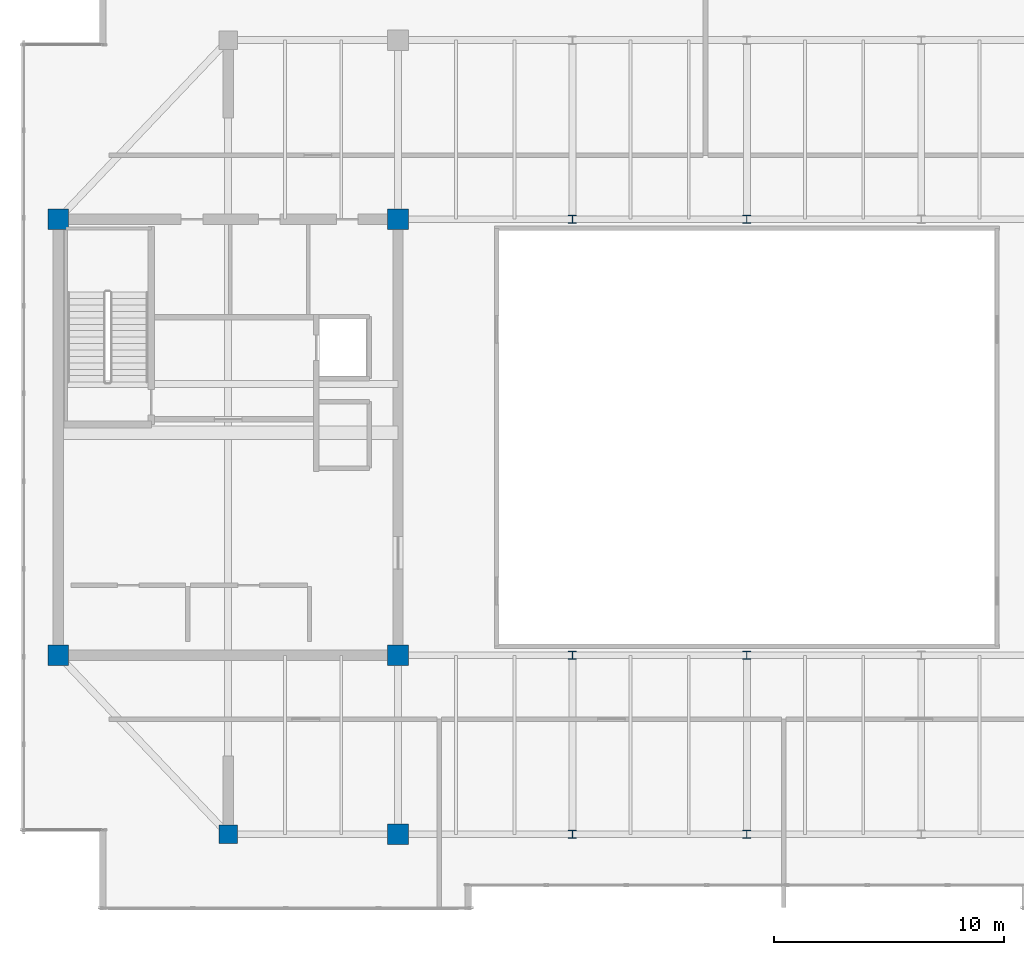
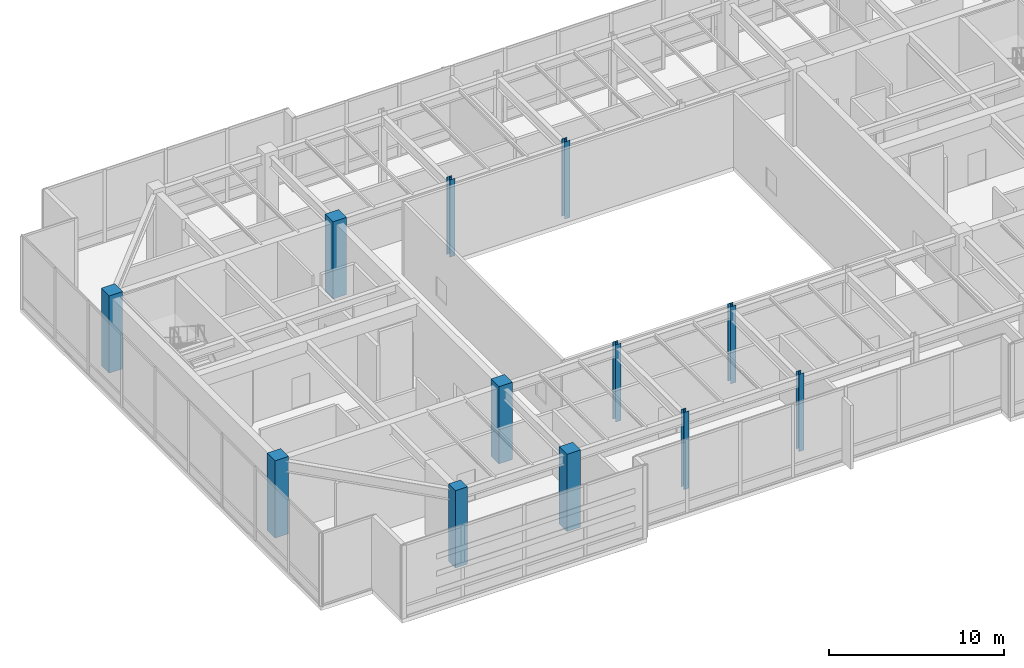
# One storey, part 1 of 30: 12 columns.
"""IFC4 building model written with IfcOpenShell, lengths in metres."""

from ifc_helpers import new_model, si_unit, direction, frame, origin, origin_2d, place, context, subcontext, project, spatial, rectangle, i_section, extrude, source, transform, mapped, material, material_profile, profile_set, type_object, type_shapes, element, save


model = new_model("IFC4")

# Units and contexts
model_context = context("Model", 3, precision=1e-05, world=origin(), true_north=direction((0.0, 1.0)))
body_context = subcontext(model_context, "Body", "Model", "MODEL_VIEW")
ifc_project = project(units=[si_unit("LENGTHUNIT", "METRE"), si_unit("AREAUNIT", "SQUARE_METRE"), si_unit("VOLUMEUNIT", "CUBIC_METRE"), si_unit("PLANEANGLEUNIT", "RADIAN"), si_unit("MASSUNIT", "GRAM", prefix="KILO")], contexts=[model_context])

# Site, building, storey
site_placement = place(None, origin())
site = spatial("IfcSite", under=ifc_project, at=site_placement, CompositionType="ELEMENT")
building_placement = place(site_placement, origin())
building = spatial("IfcBuilding", under=site, at=building_placement, Name="Haelvirn Gate Laboratories", CompositionType="ELEMENT")
storey_placement = place(building_placement, frame((0.0, 0.0, 332.39990234375)))
storey = spatial("IfcBuildingStorey", under=building, at=storey_placement, Name="L79", CompositionType="ELEMENT", Elevation=332.39990234375)

# Columns
ifc_material_1 = material(Name="Concrete C50/60", Category="concrete")
ifc_material_profile_1 = material_profile(ifc_material_1, rectangle(XDim=0.89990234375, YDim=0.89990234375, at=origin_2d()), Name="RC-900x900")
ifc_profile_set_1 = profile_set([ifc_material_profile_1], Name="Concrete C50/60")
column_type_1 = type_object("IfcColumnType", Name="COL-RC-900", PredefinedType="COLUMN", material=ifc_profile_set_1)
shared_shape_1 = source(origin(), body_context, "Body", "SweptSolid", [
    extrude(rectangle(XDim=0.89990234375, YDim=0.89990234375, at=origin_2d()), origin(), (0.0, 0.0, 1.0), 5.400146484375),
])
type_shapes(column_type_1, [shared_shape_1])
for number, where, z_axis, x_axis, name in (
    (1, (22.199951171875, 7.0, 0.0), (0.0, 0.0, 1.0), (1.0, 0.0, 0.0), "L79 Column 4B"),
    (2, (7.39990234375, 14.800048828125, 0.0), (0.0, 0.0, 1.0), (1.0, 0.0, 0.0), "L79 Column 2C"),
    (3, (22.199951171875, 14.800048828125, 0.0), (0.0, 0.0, 1.0), (1.0, 0.0, 0.0), "L79 Column 4C"),
    (4, (7.39990234375, 33.800048828125, 0.0), (0.0, 0.0, 1.0), (1.0, 0.0, 0.0), "L79 Column 2F"),
    (5, (22.199951171875, 33.800048828125, 0.0), (0.0, 0.0, 1.0), (1.0, 0.0, 0.0), "L79 Column 4F"),
):
    element("IfcColumn", number, at=place(storey_placement, frame(where, z_axis=z_axis, x_axis=x_axis)), inside=storey, type_object=column_type_1, Name=name, PredefinedType="COLUMN", context=body_context, shape_type="MappedRepresentation", body=[
        mapped(shared_shape_1, transform((0.0, 0.0, 0.0), scale=1.0)),
    ])
ifc_material_profile_2 = material_profile(ifc_material_1, rectangle(XDim=0.800048828125, YDim=0.800048828125, at=origin_2d()), Name="RC-800x800")
ifc_profile_set_2 = profile_set([ifc_material_profile_2], Name="Concrete C50/60")
column_type_2 = type_object("IfcColumnType", Name="COL-RC-800", PredefinedType="COLUMN", material=ifc_profile_set_2)
shared_shape_2 = source(origin(), body_context, "Body", "SweptSolid", [
    extrude(rectangle(XDim=0.800048828125, YDim=0.800048828125, at=origin_2d()), origin(), (0.0, 0.0, 1.0), 5.400146484375),
])
type_shapes(column_type_2, [shared_shape_2])
column_placement = place(storey_placement, frame((14.800048828125, 7.0, 0.0), z_axis=(0.0, 0.0, 1.0), x_axis=(1.0, 0.0, 0.0)))
element("IfcColumn", 6, at=column_placement, inside=storey, type_object=column_type_2, Name="L79 Column 3B", PredefinedType="COLUMN", context=body_context, shape_type="MappedRepresentation", body=[
    mapped(shared_shape_2, transform((0.0, 0.0, 0.0), scale=1.0)),
])
ifc_material_2 = material(Name="Steel SM355", Category="steel")
ifc_material_profile_3 = material_profile(ifc_material_2, i_section(OverallWidth=0.35009765625, OverallDepth=0.35009765625, WebThickness=0.011962890625, FlangeThickness=0.01904296875, at=origin_2d()), Name="H-350x350x12x19")
ifc_profile_set_3 = profile_set([ifc_material_profile_3], Name="Steel SM355")
column_type_3 = type_object("IfcColumnType", Name="COL-H-350", PredefinedType="COLUMN", material=ifc_profile_set_3)
shared_shape_3 = source(origin(), body_context, "Body", "SweptSolid", [
    extrude(i_section(OverallWidth=0.35009765625, OverallDepth=0.35009765625, WebThickness=0.011962890625, FlangeThickness=0.01904296875, at=origin_2d()), origin(), (0.0, 0.0, 1.0), 5.400146484375),
])
type_shapes(column_type_3, [shared_shape_3])
for number, where, z_axis, x_axis, name in (
    (7, (29.800048828125, 7.0, 0.0), (0.0, 0.0, 1.0), (1.0, 0.0, 0.0), "L79 Column 5B"),
    (8, (29.800048828125, 14.800048828125, 0.0), (0.0, 0.0, 1.0), (1.0, 0.0, 0.0), "L79 Column 5C"),
    (9, (29.800048828125, 33.800048828125, 0.0), (0.0, 0.0, 1.0), (1.0, 0.0, 0.0), "L79 Column 5F"),
    (10, (37.39990234375, 7.0, 0.0), (0.0, 0.0, 1.0), (1.0, 0.0, 0.0), "L79 Column 6B"),
    (11, (37.39990234375, 14.800048828125, 0.0), (0.0, 0.0, 1.0), (1.0, 0.0, 0.0), "L79 Column 6C"),
    (12, (37.39990234375, 33.800048828125, 0.0), (0.0, 0.0, 1.0), (1.0, 0.0, 0.0), "L79 Column 6F"),
):
    element("IfcColumn", number, at=place(storey_placement, frame(where, z_axis=z_axis, x_axis=x_axis)), inside=storey, type_object=column_type_3, Name=name, PredefinedType="COLUMN", context=body_context, shape_type="MappedRepresentation", body=[
        mapped(shared_shape_3, transform((0.0, 0.0, 0.0), scale=1.0)),
    ])

save(model, "model.ifc")
